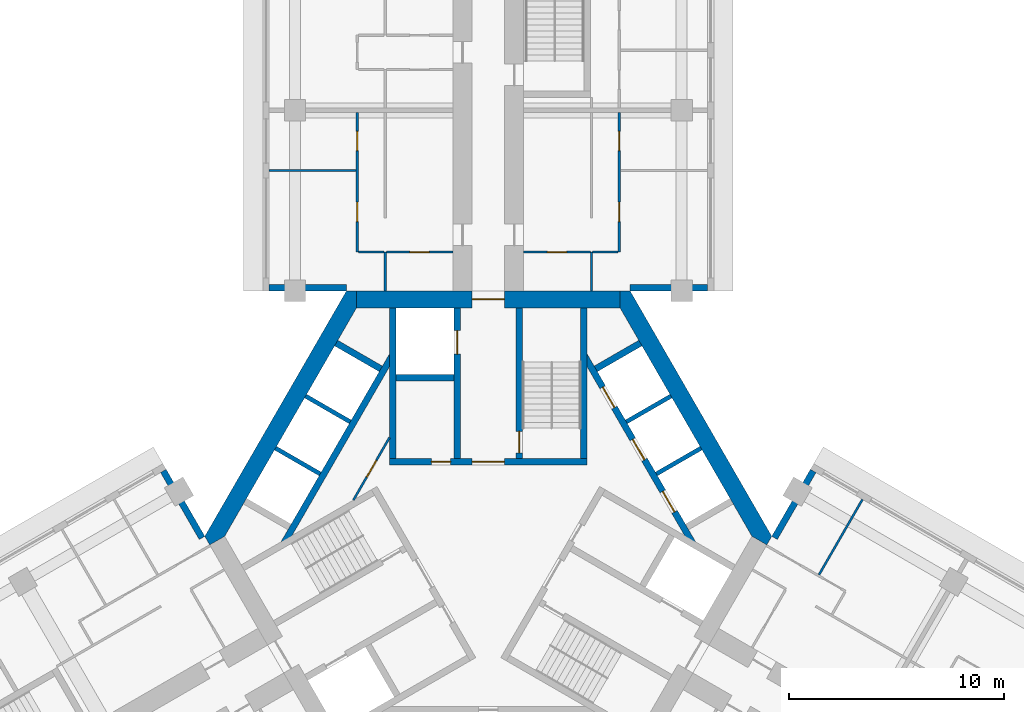
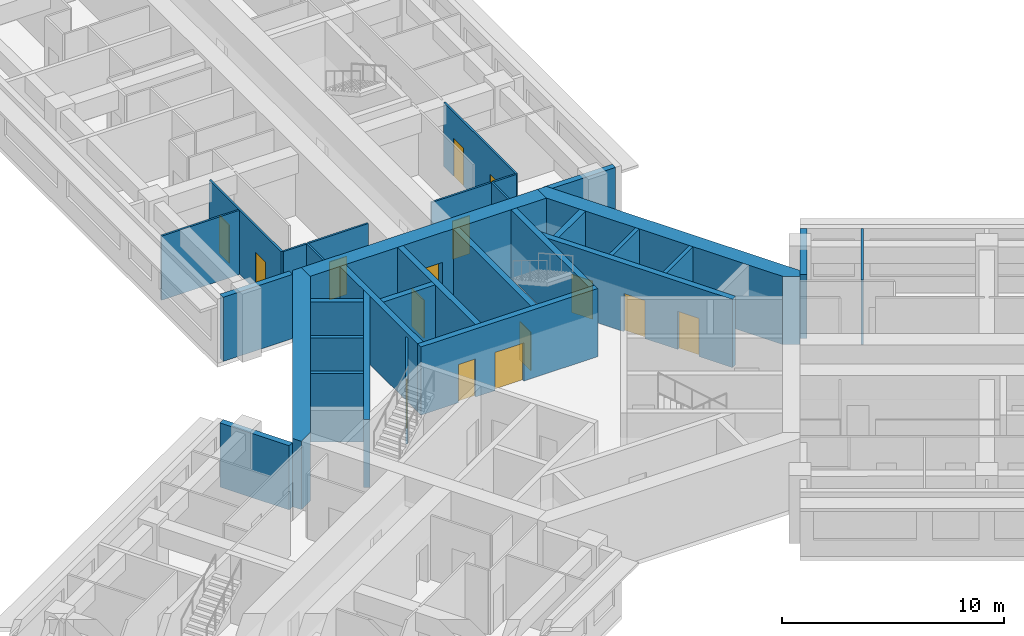
# One storey, part 8 of 15: 32 walls, 15 doors, 15 openings.
"""IFC4 building model written with IfcOpenShell, lengths in metres."""

from ifc_helpers import new_model, si_unit, direction, frame, frame_2d, origin, place, context, subcontext, project, spatial, polyline, rectangle, outline, extrude, material, layer, layer_set, type_object, element, fill, save


model = new_model("IFC4")

# Units and contexts
model_context = context("Model", 3, precision=1e-05, world=origin(), true_north=direction((0.0, 1.0)))
body_context = subcontext(model_context, "Body", "Model", "MODEL_VIEW")
ifc_project = project(units=[si_unit("LENGTHUNIT", "METRE"), si_unit("AREAUNIT", "SQUARE_METRE"), si_unit("VOLUMEUNIT", "CUBIC_METRE"), si_unit("PLANEANGLEUNIT", "RADIAN"), si_unit("MASSUNIT", "GRAM", prefix="KILO")], contexts=[model_context])

# Site, building, storey
site_placement = place(None, origin())
site = spatial("IfcSite", under=ifc_project, at=site_placement, CompositionType="ELEMENT")
building_placement = place(site_placement, origin())
building = spatial("IfcBuilding", under=site, at=building_placement, Name="Impinga Residences", CompositionType="ELEMENT")
storey_placement = place(building_placement, frame((0.0, 0.0, 113.5)))
storey = spatial("IfcBuildingStorey", under=building, at=storey_placement, Name="L27", CompositionType="ELEMENT", Elevation=113.5)

# Wall, opening, door
ifc_material_1 = material(Name="Concrete blockwork", Category="masonry")
ifc_layer_1 = layer(ifc_material_1, 0.10009765625)
ifc_layer_set_1 = layer_set([ifc_layer_1], Name="CP1 core room partition, blockwork 100")
wall_type_1 = type_object("IfcWallType", Name="CP1 core room partition, blockwork 100", PredefinedType="PARTITIONING", material=ifc_layer_set_1)
wall_1_placement = place(storey_placement, frame((-6.280029296875, 1.685791015625, 0.0), z_axis=(0.0, 0.0, 1.0), x_axis=(0.499976138585, 0.866039179741, 0.0)))
wall_1 = element("IfcWall", 1, at=wall_1_placement, inside=storey, type_object=wall_type_1, Name="Core room partition, blockwork L27:CORE:high:FP", PredefinedType="PARTITIONING", context=body_context, shape_type="SweptSolid", body=[
    extrude(rectangle(XDim=3.360107421875, YDim=0.10009765625, at=frame_2d((1.68017578125, 0.0))), origin(), (0.0, 0.0, 1.0), 3.530029296875),
])
opening_1_placement = place(wall_1_placement, frame((1.22998046875, 0.0, 0.0)))
opening_1 = element("IfcOpeningElement", 2, at=opening_1_placement, cuts=wall_1, Name="Opening D6", PredefinedType="OPENING", context=body_context, shape_type="SweptSolid", body=[
    extrude(rectangle(XDim=0.89990234375, YDim=2.10009765625, at=frame_2d((0.449951171875, 1.050048828125))), frame((0.0, 0.06005859375, 0.0), z_axis=(0.0, -1.0, 0.0), x_axis=(1.0, 0.0, 0.0)), (0.0, 0.0, 1.0), 0.1201171875),
])
ifc_material_2 = material(Name="Timber door set", Category="wood")
door_type_1 = type_object("IfcDoorType", Name="D6 riser and store door 900x2100", OperationType="SINGLE_SWING_LEFT", PredefinedType="DOOR", material=ifc_material_2)
door_1_placement = place(opening_1_placement, origin())
door_1 = element("IfcDoor", 3, at=door_1_placement, inside=storey, type_object=door_type_1, Name="Refuse and recycling room door", OperationType="SINGLE_SWING_RIGHT", OverallHeight=2.10009765625, OverallWidth=0.89990234375, PredefinedType="DOOR", context=body_context, shape_type="SweptSolid", body=[
    extrude(rectangle(XDim=0.89990234375, YDim=2.10009765625, at=frame_2d((0.449951171875, 1.050048828125))), frame((0.0, 0.02490234375, 0.0), z_axis=(0.0, -1.0, 0.0), x_axis=(1.0, 0.0, 0.0)), (0.0, 0.0, 1.0), 0.050048828125),
])
fill(opening_1, door_1)

# Walls
ifc_material_3 = material(Name="Terracotta rainscreen on blockwork", Category="masonry")
ifc_layer_2 = layer(ifc_material_3, 0.300048828125)
ifc_layer_set_2 = layer_set([ifc_layer_2], Name="EW1 external wall, terracotta rainscreen on blockwork 300")
wall_type_2 = type_object("IfcWallType", Name="EW1 external wall, terracotta rainscreen on blockwork 300", PredefinedType="SOLIDWALL", material=ifc_layer_set_2)
wall_2_placement = place(storey_placement, frame((-15.1298828125, 3.042724609375, 0.0), z_axis=(0.0, 0.0, 1.0), x_axis=(0.500012057535, -0.866018442252, 0.0)))
element("IfcWall", 4, at=wall_2_placement, inside=storey, type_object=wall_type_2, Name="External wall EW1 L27", PredefinedType="SOLIDWALL", context=body_context, shape_type="SweptSolid", body=[
    extrude(rectangle(XDim=3.60009765625, YDim=0.300048828125, at=frame_2d((1.800048828125, 0.0))), origin(), (0.0, 0.0, 1.0), 3.530029296875),
])
for number, where, z_axis, x_axis, name in (
    (5, (-6.60009765625, 11.58154296875, 0.0), (0.0, 0.0, 1.0), (-1.0, 0.0, 0.0), "External wall EW1 L27"),
    (6, (10.199951171875, 11.58154296875, 0.0), (0.0, 0.0, 1.0), (-1.0, 0.0, 0.0), "External wall EW1 L27"),
):
    element("IfcWall", number, at=place(storey_placement, frame(where, z_axis=z_axis, x_axis=x_axis)), inside=storey, type_object=wall_type_2, Name=name, PredefinedType="SOLIDWALL", context=body_context, shape_type="SweptSolid", body=[
        extrude(rectangle(XDim=3.599853515625, YDim=0.300048828125, at=frame_2d((1.7998046875, 0.0))), origin(), (0.0, 0.0, 1.0), 3.530029296875),
    ])
wall_3_placement = place(storey_placement, frame((13.329833984375, -0.074951171875, 0.0), z_axis=(0.0, 0.0, 1.0), x_axis=(0.500012057535, 0.866018442252, 0.0)))
element("IfcWall", 7, at=wall_3_placement, inside=storey, type_object=wall_type_2, Name="External wall EW1 L27", PredefinedType="SOLIDWALL", context=body_context, shape_type="SweptSolid", body=[
    extrude(rectangle(XDim=3.60009765625, YDim=0.300048828125, at=frame_2d((1.800048828125, 0.0))), origin(), (0.0, 0.0, 1.0), 3.530029296875),
])
ifc_material_4 = material(Name="Gypsum board on steel studs", Category="steel")
ifc_layer_3 = layer(ifc_material_4, 0.10009765625)
ifc_layer_set_3 = layer_set([ifc_layer_3], Name="Gypsum board on steel studs")
wall_type_3 = type_object("IfcWallType", Name="IP1 partition 100", PredefinedType="PARTITIONING", material=ifc_layer_set_3)
wall_4_placement = place(storey_placement, frame((-4.800048828125, 11.431640625, 0.0), z_axis=(0.0, 0.0, 1.0), x_axis=(0.0, 1.0, 0.0)))
element("IfcWall", 8, at=wall_4_placement, inside=storey, type_object=wall_type_3, Name="Partition L27-NA1:DIV0", PredefinedType="PARTITIONING", context=body_context, shape_type="SweptSolid", body=[
    extrude(rectangle(XDim=1.7998046875, YDim=0.10009765625, at=frame_2d((0.89990234375, 0.0))), origin(), (0.0, 0.0, 1.0), 3.530029296875),
])

# Wall, openings, doors
wall_5_placement = place(storey_placement, frame((-6.10009765625, 13.2314453125, 0.0), z_axis=(0.0, 0.0, 1.0), x_axis=(0.0, 1.0, 0.0)))
wall_5 = element("IfcWall", 9, at=wall_5_placement, inside=storey, type_object=wall_type_3, Name="Partition L27-NA1:STRIP", PredefinedType="PARTITIONING", context=body_context, shape_type="SweptSolid", body=[
    extrude(rectangle(XDim=6.5, YDim=0.10009765625, at=frame_2d((3.25, 0.0))), origin(), (0.0, 0.0, 1.0), 3.530029296875),
])
opening_2_placement = place(wall_5_placement, frame((1.425048828125, 0.0, 0.0)))
opening_2 = element("IfcOpeningElement", 10, at=opening_2_placement, cuts=wall_5, Name="Opening D2", PredefinedType="OPENING", context=body_context, shape_type="SweptSolid", body=[
    extrude(rectangle(XDim=0.89990234375, YDim=2.10009765625, at=frame_2d((0.449951171875, 1.050048828125))), frame((0.0, 0.06005859375, 0.0), z_axis=(0.0, -1.0, 0.0), x_axis=(1.0, 0.0, 0.0)), (0.0, 0.0, 1.0), 0.1201171875),
])
opening_3_placement = place(wall_5_placement, frame((4.72509765625, 0.0, 0.0)))
opening_3 = element("IfcOpeningElement", 11, at=opening_3_placement, cuts=wall_5, Name="Opening D2", PredefinedType="OPENING", context=body_context, shape_type="SweptSolid", body=[
    extrude(rectangle(XDim=0.89990234375, YDim=2.10009765625, at=frame_2d((0.449951171875, 1.050048828125))), frame((0.0, 0.06005859375, 0.0), z_axis=(0.0, -1.0, 0.0), x_axis=(1.0, 0.0, 0.0)), (0.0, 0.0, 1.0), 0.1201171875),
])
door_type_2 = type_object("IfcDoorType", Name="D2 internal door 900x2100", OperationType="SINGLE_SWING_LEFT", PredefinedType="DOOR", material=ifc_material_2)
door_2_placement = place(opening_2_placement, origin())
door_2 = element("IfcDoor", 12, at=door_2_placement, inside=storey, type_object=door_type_2, Name="Apartment L27-NA1 room door", OperationType="SINGLE_SWING_LEFT", OverallHeight=2.10009765625, OverallWidth=0.89990234375, PredefinedType="DOOR", context=body_context, shape_type="SweptSolid", body=[
    extrude(rectangle(XDim=0.89990234375, YDim=2.10009765625, at=frame_2d((0.449951171875, 1.050048828125))), frame((0.0, 0.02490234375, 0.0), z_axis=(0.0, -1.0, 0.0), x_axis=(1.0, 0.0, 0.0)), (0.0, 0.0, 1.0), 0.050048828125),
])
fill(opening_2, door_2)
door_3_placement = place(opening_3_placement, origin())
door_3 = element("IfcDoor", 13, at=door_3_placement, inside=storey, type_object=door_type_2, Name="Apartment L27-NA1 room door", OperationType="SINGLE_SWING_RIGHT", OverallHeight=2.10009765625, OverallWidth=0.89990234375, PredefinedType="DOOR", context=body_context, shape_type="SweptSolid", body=[
    extrude(rectangle(XDim=0.89990234375, YDim=2.10009765625, at=frame_2d((0.449951171875, 1.050048828125))), frame((0.0, 0.02490234375, 0.0), z_axis=(0.0, -1.0, 0.0), x_axis=(1.0, 0.0, 0.0)), (0.0, 0.0, 1.0), 0.050048828125),
])
fill(opening_3, door_3)

# Wall
wall_6_placement = place(storey_placement, frame((-4.85009765625, 13.2314453125, 0.0), z_axis=(0.0, 0.0, 1.0), x_axis=(-1.0, 0.0, 0.0)))
element("IfcWall", 14, at=wall_6_placement, inside=storey, type_object=wall_type_3, Name="Partition L27-NA1:SE0", PredefinedType="PARTITIONING", context=body_context, shape_type="SweptSolid", body=[
    extrude(rectangle(XDim=1.199951171875, YDim=0.10009765625, at=frame_2d((0.60009765625, 0.0))), origin(), (0.0, 0.0, 1.0), 3.530029296875),
])

# Wall, opening, door
wall_7_placement = place(storey_placement, frame((-1.64990234375, 13.2314453125, 0.0), z_axis=(0.0, 0.0, 1.0), x_axis=(-1.0, 0.0, 0.0)))
wall_7 = element("IfcWall", 15, at=wall_7_placement, inside=storey, type_object=wall_type_3, Name="Partition L27-NA1:IB1", PredefinedType="PARTITIONING", context=body_context, shape_type="SweptSolid", body=[
    extrude(rectangle(XDim=3.10009765625, YDim=0.10009765625, at=frame_2d((1.550048828125, 0.0))), origin(), (0.0, 0.0, 1.0), 3.530029296875),
])
opening_4_placement = place(wall_7_placement, frame((1.10009765625, 0.0, 0.0)))
opening_4 = element("IfcOpeningElement", 16, at=opening_4_placement, cuts=wall_7, Name="Opening D2", PredefinedType="OPENING", context=body_context, shape_type="SweptSolid", body=[
    extrude(rectangle(XDim=0.89990234375, YDim=2.10009765625, at=frame_2d((0.449951171875, 1.050048828125))), frame((0.0, 0.06005859375, 0.0), z_axis=(0.0, -1.0, 0.0), x_axis=(1.0, 0.0, 0.0)), (0.0, 0.0, 1.0), 0.1201171875),
])
door_4_placement = place(opening_4_placement, origin())
door_4 = element("IfcDoor", 17, at=door_4_placement, inside=storey, type_object=door_type_2, Name="Apartment L27-NA1 bathroom door", OperationType="SINGLE_SWING_LEFT", OverallHeight=2.10009765625, OverallWidth=0.89990234375, PredefinedType="DOOR", context=body_context, shape_type="SweptSolid", body=[
    extrude(rectangle(XDim=0.89990234375, YDim=2.10009765625, at=frame_2d((0.449951171875, 1.050048828125))), frame((0.0, 0.02490234375, 0.0), z_axis=(0.0, -1.0, 0.0), x_axis=(1.0, 0.0, 0.0)), (0.0, 0.0, 1.0), 0.050048828125),
])
fill(opening_4, door_4)

# Walls
wall_8_placement = place(storey_placement, frame((-6.14990234375, 17.031494140625, 0.0), z_axis=(0.0, 0.0, 1.0), x_axis=(-1.0, 0.0, 0.0)))
element("IfcWall", 18, at=wall_8_placement, inside=storey, type_object=wall_type_3, Name="Partition L27-NA1:OB1", PredefinedType="PARTITIONING", context=body_context, shape_type="SweptSolid", body=[
    extrude(rectangle(XDim=4.050048828125, YDim=0.10009765625, at=frame_2d((2.02490234375, 0.0))), origin(), (0.0, 0.0, 1.0), 3.530029296875),
])
wall_9_placement = place(storey_placement, frame((4.800048828125, 11.431640625, 0.0), z_axis=(0.0, 0.0, 1.0), x_axis=(0.0, 1.0, 0.0)))
element("IfcWall", 19, at=wall_9_placement, inside=storey, type_object=wall_type_3, Name="Partition L27-NF1:DIV0", PredefinedType="PARTITIONING", context=body_context, shape_type="SweptSolid", body=[
    extrude(rectangle(XDim=1.7998046875, YDim=0.10009765625, at=frame_2d((0.89990234375, 0.0))), origin(), (0.0, 0.0, 1.0), 3.530029296875),
])

# Wall, openings, doors
wall_10_placement = place(storey_placement, frame((6.10009765625, 13.2314453125, 0.0), z_axis=(0.0, 0.0, 1.0), x_axis=(0.0, 1.0, 0.0)))
wall_10 = element("IfcWall", 20, at=wall_10_placement, inside=storey, type_object=wall_type_3, Name="Partition L27-NF1:STRIP", PredefinedType="PARTITIONING", context=body_context, shape_type="SweptSolid", body=[
    extrude(rectangle(XDim=6.5, YDim=0.10009765625, at=frame_2d((3.25, 0.0))), origin(), (0.0, 0.0, 1.0), 3.530029296875),
])
opening_5_placement = place(wall_10_placement, frame((1.425048828125, 0.0, 0.0)))
opening_5 = element("IfcOpeningElement", 21, at=opening_5_placement, cuts=wall_10, Name="Opening D2", PredefinedType="OPENING", context=body_context, shape_type="SweptSolid", body=[
    extrude(rectangle(XDim=0.89990234375, YDim=2.10009765625, at=frame_2d((0.449951171875, 1.050048828125))), frame((0.0, 0.06005859375, 0.0), z_axis=(0.0, -1.0, 0.0), x_axis=(1.0, 0.0, 0.0)), (0.0, 0.0, 1.0), 0.1201171875),
])
opening_6_placement = place(wall_10_placement, frame((4.72509765625, 0.0, 0.0)))
opening_6 = element("IfcOpeningElement", 22, at=opening_6_placement, cuts=wall_10, Name="Opening D2", PredefinedType="OPENING", context=body_context, shape_type="SweptSolid", body=[
    extrude(rectangle(XDim=0.89990234375, YDim=2.10009765625, at=frame_2d((0.449951171875, 1.050048828125))), frame((0.0, 0.06005859375, 0.0), z_axis=(0.0, -1.0, 0.0), x_axis=(1.0, 0.0, 0.0)), (0.0, 0.0, 1.0), 0.1201171875),
])
door_5_placement = place(opening_5_placement, origin())
door_5 = element("IfcDoor", 23, at=door_5_placement, inside=storey, type_object=door_type_2, Name="Apartment L27-NF1 room door", OperationType="SINGLE_SWING_LEFT", OverallHeight=2.10009765625, OverallWidth=0.89990234375, PredefinedType="DOOR", context=body_context, shape_type="SweptSolid", body=[
    extrude(rectangle(XDim=0.89990234375, YDim=2.10009765625, at=frame_2d((0.449951171875, 1.050048828125))), frame((0.0, 0.02490234375, 0.0), z_axis=(0.0, -1.0, 0.0), x_axis=(1.0, 0.0, 0.0)), (0.0, 0.0, 1.0), 0.050048828125),
])
fill(opening_5, door_5)
door_6_placement = place(opening_6_placement, origin())
door_6 = element("IfcDoor", 24, at=door_6_placement, inside=storey, type_object=door_type_2, Name="Apartment L27-NF1 room door", OperationType="SINGLE_SWING_RIGHT", OverallHeight=2.10009765625, OverallWidth=0.89990234375, PredefinedType="DOOR", context=body_context, shape_type="SweptSolid", body=[
    extrude(rectangle(XDim=0.89990234375, YDim=2.10009765625, at=frame_2d((0.449951171875, 1.050048828125))), frame((0.0, 0.02490234375, 0.0), z_axis=(0.0, -1.0, 0.0), x_axis=(1.0, 0.0, 0.0)), (0.0, 0.0, 1.0), 0.050048828125),
])
fill(opening_6, door_6)

# Wall
wall_11_placement = place(storey_placement, frame((4.85009765625, 13.2314453125, 0.0), z_axis=(0.0, 0.0, 1.0), x_axis=(1.0, 0.0, 0.0)))
element("IfcWall", 25, at=wall_11_placement, inside=storey, type_object=wall_type_3, Name="Partition L27-NF1:SE0", PredefinedType="PARTITIONING", context=body_context, shape_type="SweptSolid", body=[
    extrude(rectangle(XDim=1.199951171875, YDim=0.10009765625, at=frame_2d((0.60009765625, 0.0))), origin(), (0.0, 0.0, 1.0), 3.530029296875),
])

# Wall, opening, door
wall_12_placement = place(storey_placement, frame((1.64990234375, 13.2314453125, 0.0), z_axis=(0.0, 0.0, 1.0), x_axis=(1.0, 0.0, 0.0)))
wall_12 = element("IfcWall", 26, at=wall_12_placement, inside=storey, type_object=wall_type_3, Name="Partition L27-NF1:IB1", PredefinedType="PARTITIONING", context=body_context, shape_type="SweptSolid", body=[
    extrude(rectangle(XDim=3.10009765625, YDim=0.10009765625, at=frame_2d((1.550048828125, 0.0))), origin(), (0.0, 0.0, 1.0), 3.530029296875),
])
opening_7_placement = place(wall_12_placement, frame((1.10009765625, 0.0, 0.0)))
opening_7 = element("IfcOpeningElement", 27, at=opening_7_placement, cuts=wall_12, Name="Opening D2", PredefinedType="OPENING", context=body_context, shape_type="SweptSolid", body=[
    extrude(rectangle(XDim=0.89990234375, YDim=2.10009765625, at=frame_2d((0.449951171875, 1.050048828125))), frame((0.0, 0.06005859375, 0.0), z_axis=(0.0, -1.0, 0.0), x_axis=(1.0, 0.0, 0.0)), (0.0, 0.0, 1.0), 0.1201171875),
])
door_7_placement = place(opening_7_placement, origin())
door_7 = element("IfcDoor", 28, at=door_7_placement, inside=storey, type_object=door_type_2, Name="Apartment L27-NF1 bathroom door", OperationType="SINGLE_SWING_LEFT", OverallHeight=2.10009765625, OverallWidth=0.89990234375, PredefinedType="DOOR", context=body_context, shape_type="SweptSolid", body=[
    extrude(rectangle(XDim=0.89990234375, YDim=2.10009765625, at=frame_2d((0.449951171875, 1.050048828125))), frame((0.0, 0.02490234375, 0.0), z_axis=(0.0, -1.0, 0.0), x_axis=(1.0, 0.0, 0.0)), (0.0, 0.0, 1.0), 0.050048828125),
])
fill(opening_7, door_7)

# Wall
wall_13_placement = place(storey_placement, frame((15.39990234375, -1.789794921875, 0.0), z_axis=(0.0, 0.0, 1.0), x_axis=(0.499964223975, 0.866046058097, 0.0)))
element("IfcWall", 29, at=wall_13_placement, inside=storey, type_object=wall_type_3, Name="Partition L27-EA1:OB1", PredefinedType="PARTITIONING", context=body_context, shape_type="SweptSolid", body=[
    extrude(rectangle(XDim=4.050048828125, YDim=0.10009765625, at=frame_2d((2.02490234375, 0.0))), origin(), (0.0, 0.0, 1.0), 3.530029296875),
])

# Wall, opening, door
ifc_material_5 = material(Name="Concrete C60/75", Category="concrete")
ifc_layer_4 = layer(ifc_material_5, 0.800048828125)
ifc_layer_set_4 = layer_set([ifc_layer_4], Name="Concrete C60/75")
wall_type_4 = type_object("IfcWallType", Name="SW2 core wall 800", PredefinedType="SHEAR", material=ifc_layer_set_4)
wall_14_placement = place(storey_placement, frame((-6.13818359375, 11.031494140625, 0.0), z_axis=(0.0, 0.0, 1.0), x_axis=(1.0, 0.0, 0.0)))
wall_14 = element("IfcWall", 30, at=wall_14_placement, inside=storey, type_object=wall_type_4, Name="Core wall SW2 N:FACE L27", PredefinedType="SHEAR", context=body_context, shape_type="SweptSolid", body=[
    extrude(rectangle(XDim=12.2763671875, YDim=0.800048828125, at=frame_2d((6.13818359375, 0.0))), origin(), (0.0, 0.0, 1.0), 3.75),
])
opening_8_placement = place(wall_14_placement, frame((5.38818359375, 0.0, 0.0)))
opening_8 = element("IfcOpeningElement", 31, at=opening_8_placement, cuts=wall_14, Name="Opening D4", PredefinedType="OPENING", context=body_context, shape_type="SweptSolid", body=[
    extrude(rectangle(XDim=1.5, YDim=2.10009765625, at=frame_2d((0.75, 1.050048828125))), frame((0.0, 0.409912109375, 0.0), z_axis=(0.0, -1.0, 0.0), x_axis=(1.0, 0.0, 0.0)), (0.0, 0.0, 1.0), 0.820068359375),
])
door_type_3 = type_object("IfcDoorType", Name="D4 lobby door pair 1500x2100", OperationType="DOUBLE_DOOR_DOUBLE_SWING", PredefinedType="DOOR", material=ifc_material_2)
door_8_placement = place(opening_8_placement, origin())
door_8 = element("IfcDoor", 32, at=door_8_placement, inside=storey, type_object=door_type_3, Name="Lobby door N", OperationType="DOUBLE_DOOR_DOUBLE_SWING", OverallHeight=2.10009765625, OverallWidth=1.5, PredefinedType="DOOR", context=body_context, shape_type="SweptSolid", body=[
    extrude(rectangle(XDim=1.5, YDim=2.10009765625, at=frame_2d((0.75, 1.050048828125))), frame((0.0, 0.02490234375, 0.0), z_axis=(0.0, -1.0, 0.0), x_axis=(1.0, 0.0, 0.0)), (0.0, 0.0, 1.0), 0.050048828125),
])
fill(opening_8, door_8)

# Walls
wall_15_placement = place(storey_placement, origin())
element("IfcWall", 33, at=wall_15_placement, inside=storey, type_object=wall_type_4, Name="Core wall SW2 W:EXPOSED L27", PredefinedType="SHEAR", context=body_context, shape_type="SweptSolid", body=[
    extrude(outline(polyline([(13.199951171875, 0.0), (6.60009765625, 11.431640625), (6.13818359375, 11.431640625), (6.13818359375, 10.631591796875), (12.276123046875, 0.0), (12.968994140625, -0.39990234375), (13.199951171875, 0.0)])), origin(), (0.0, 0.0, 1.0), 3.75),
])
wall_16_placement = place(storey_placement, origin())
element("IfcWall", 34, at=wall_16_placement, inside=storey, type_object=wall_type_4, Name="Core wall SW2 E:EXPOSED L27", PredefinedType="SHEAR", context=body_context, shape_type="SweptSolid", body=[
    extrude(outline(polyline([(-6.60009765625, 11.431640625), (-13.199951171875, 0.0), (-12.968994140625, -0.39990234375), (-12.276123046875, 0.0), (-6.13818359375, 10.631591796875), (-6.13818359375, 11.431640625), (-6.60009765625, 11.431640625)])), origin(), (0.0, 0.0, 1.0), 3.75),
])

# Wall, openings, doors
ifc_material_6 = material(Name="Concrete C70/85", Category="concrete")
ifc_layer_5 = layer(ifc_material_6, 0.300048828125)
ifc_layer_set_5 = layer_set([ifc_layer_5], Name="Concrete C70/85")
wall_type_5 = type_object("IfcWallType", Name="SW5 core inner wall, stairs, shafts and lobbies 300", PredefinedType="SHEAR", material=ifc_layer_set_5)
wall_17_placement = place(storey_placement, frame((-4.60009765625, 3.47998046875, 0.0), z_axis=(0.0, 0.0, 1.0), x_axis=(1.0, 0.0, 0.0)))
wall_17 = element("IfcWall", 35, at=wall_17_placement, inside=storey, type_object=wall_type_5, Name="Core wall SW5 N:ZONE L27", PredefinedType="SHEAR", context=body_context, shape_type="SweptSolid", body=[
    extrude(rectangle(XDim=9.2001953125, YDim=0.300048828125, at=frame_2d((4.60009765625, 0.0))), origin(), (0.0, 0.0, 1.0), 3.75),
])
opening_9_placement = place(wall_17_placement, frame((3.85009765625, 0.0, 0.0)))
opening_9 = element("IfcOpeningElement", 36, at=opening_9_placement, cuts=wall_17, Name="Opening D4", PredefinedType="OPENING", context=body_context, shape_type="SweptSolid", body=[
    extrude(rectangle(XDim=1.5, YDim=2.10009765625, at=frame_2d((0.75, 1.050048828125))), frame((0.0, 0.159912109375, 0.0), z_axis=(0.0, -1.0, 0.0), x_axis=(1.0, 0.0, 0.0)), (0.0, 0.0, 1.0), 0.320068359375),
])
opening_10_placement = place(wall_17_placement, frame((1.949951171875, 0.0, 0.0)))
opening_10 = element("IfcOpeningElement", 37, at=opening_10_placement, cuts=wall_17, Name="Opening D6", PredefinedType="OPENING", context=body_context, shape_type="SweptSolid", body=[
    extrude(rectangle(XDim=0.89990234375, YDim=2.10009765625, at=frame_2d((0.449951171875, 1.050048828125))), frame((0.0, 0.159912109375, 0.0), z_axis=(0.0, -1.0, 0.0), x_axis=(1.0, 0.0, 0.0)), (0.0, 0.0, 1.0), 0.320068359375),
])
door_9_placement = place(opening_9_placement, origin())
door_9 = element("IfcDoor", 38, at=door_9_placement, inside=storey, type_object=door_type_3, Name="Firefighting lobby door N", OperationType="DOUBLE_DOOR_DOUBLE_SWING", OverallHeight=2.10009765625, OverallWidth=1.5, PredefinedType="DOOR", context=body_context, shape_type="SweptSolid", body=[
    extrude(rectangle(XDim=1.5, YDim=2.10009765625, at=frame_2d((0.75, 1.050048828125))), frame((0.0, 0.02490234375, 0.0), z_axis=(0.0, -1.0, 0.0), x_axis=(1.0, 0.0, 0.0)), (0.0, 0.0, 1.0), 0.050048828125),
])
fill(opening_9, door_9)
door_10_placement = place(opening_10_placement, origin())
door_10 = element("IfcDoor", 39, at=door_10_placement, inside=storey, type_object=door_type_1, Name="Riser door N", OperationType="SINGLE_SWING_LEFT", OverallHeight=2.10009765625, OverallWidth=0.89990234375, PredefinedType="DOOR", context=body_context, shape_type="SweptSolid", body=[
    extrude(rectangle(XDim=0.89990234375, YDim=2.10009765625, at=frame_2d((0.449951171875, 1.050048828125))), frame((0.0, 0.02490234375, 0.0), z_axis=(0.0, -1.0, 0.0), x_axis=(1.0, 0.0, 0.0)), (0.0, 0.0, 1.0), 0.050048828125),
])
fill(opening_10, door_10)

# Wall, opening, door
wall_18_placement = place(storey_placement, frame((1.449951171875, 3.6298828125, 0.0), z_axis=(0.0, 0.0, 1.0), x_axis=(0.0, 1.0, 0.0)))
wall_18 = element("IfcWall", 40, at=wall_18_placement, inside=storey, type_object=wall_type_5, Name="Core wall SW5 N:ST-IN L27", PredefinedType="SHEAR", context=body_context, shape_type="SweptSolid", body=[
    extrude(rectangle(XDim=7.001708984375, YDim=0.300048828125, at=frame_2d((3.5009765625, 0.0))), origin(), (0.0, 0.0, 1.0), 3.75),
])
opening_11_placement = place(wall_18_placement, frame((0.25, 0.0, 0.0)))
opening_11 = element("IfcOpeningElement", 41, at=opening_11_placement, cuts=wall_18, Name="Opening D5", PredefinedType="OPENING", context=body_context, shape_type="SweptSolid", body=[
    extrude(rectangle(XDim=1.0, YDim=2.10009765625, at=frame_2d((0.5, 1.050048828125))), frame((0.0, 0.159912109375, 0.0), z_axis=(0.0, -1.0, 0.0), x_axis=(1.0, 0.0, 0.0)), (0.0, 0.0, 1.0), 0.320068359375),
])
door_type_4 = type_object("IfcDoorType", Name="D5 stair door 1000x2100", OperationType="SINGLE_SWING_LEFT", PredefinedType="DOOR", material=ifc_material_2)
door_11_placement = place(opening_11_placement, origin())
door_11 = element("IfcDoor", 42, at=door_11_placement, inside=storey, type_object=door_type_4, Name="Stair door N", OperationType="SINGLE_SWING_LEFT", OverallHeight=2.10009765625, OverallWidth=1.0, PredefinedType="DOOR", context=body_context, shape_type="SweptSolid", body=[
    extrude(rectangle(XDim=1.0, YDim=2.10009765625, at=frame_2d((0.5, 1.050048828125))), frame((0.0, 0.02490234375, 0.0), z_axis=(0.0, -1.0, 0.0), x_axis=(1.0, 0.0, 0.0)), (0.0, 0.0, 1.0), 0.050048828125),
])
fill(opening_11, door_11)

# Wall
wall_19_placement = place(storey_placement, frame((4.449951171875, 3.6298828125, 0.0), z_axis=(0.0, 0.0, 1.0), x_axis=(0.0, 1.0, 0.0)))
element("IfcWall", 43, at=wall_19_placement, inside=storey, type_object=wall_type_5, Name="Core wall SW5 N:ST-OUT L27", PredefinedType="SHEAR", context=body_context, shape_type="SweptSolid", body=[
    extrude(rectangle(XDim=7.001708984375, YDim=0.300048828125, at=frame_2d((3.5009765625, 0.0))), origin(), (0.0, 0.0, 1.0), 3.75),
])

# Wall, opening, door
wall_20_placement = place(storey_placement, frame((-1.449951171875, 3.6298828125, 0.0), z_axis=(0.0, 0.0, 1.0), x_axis=(0.0, 1.0, 0.0)))
wall_20 = element("IfcWall", 44, at=wall_20_placement, inside=storey, type_object=wall_type_5, Name="Core wall SW5 N:FF-IN L27", PredefinedType="SHEAR", context=body_context, shape_type="SweptSolid", body=[
    extrude(rectangle(XDim=7.001708984375, YDim=0.300048828125, at=frame_2d((3.5009765625, 0.0))), origin(), (0.0, 0.0, 1.0), 3.75),
])
opening_12_placement = place(wall_20_placement, frame((4.85009765625, 0.0, 0.0)))
opening_12 = element("IfcOpeningElement", 45, at=opening_12_placement, cuts=wall_20, Name="Opening LD2", PredefinedType="OPENING", context=body_context, shape_type="SweptSolid", body=[
    extrude(rectangle(XDim=1.10009765625, YDim=2.10009765625, at=frame_2d((0.550048828125, 1.050048828125))), frame((0.0, 0.159912109375, 0.0), z_axis=(0.0, -1.0, 0.0), x_axis=(1.0, 0.0, 0.0)), (0.0, 0.0, 1.0), 0.320068359375),
])
ifc_material_7 = material(Name="Steel lift landing door", Category="steel")
door_type_5 = type_object("IfcDoorType", Name="LD2 firefighting lift landing door 1100x2100", OperationType="DOUBLE_DOOR_SLIDING", PredefinedType="DOOR", material=ifc_material_7)
door_12_placement = place(opening_12_placement, origin())
door_12 = element("IfcDoor", 46, at=door_12_placement, inside=storey, type_object=door_type_5, Name="Firefighting lift landing door F1", OperationType="DOUBLE_DOOR_SLIDING", OverallHeight=2.10009765625, OverallWidth=1.10009765625, PredefinedType="DOOR", context=body_context, shape_type="SweptSolid", body=[
    extrude(rectangle(XDim=1.10009765625, YDim=2.10009765625, at=frame_2d((0.550048828125, 1.050048828125))), frame((0.0, 0.02490234375, 0.0), z_axis=(0.0, -1.0, 0.0), x_axis=(1.0, 0.0, 0.0)), (0.0, 0.0, 1.0), 0.050048828125),
])
fill(opening_12, door_12)

# Walls
wall_21_placement = place(storey_placement, frame((-4.449951171875, 3.6298828125, 0.0), z_axis=(0.0, 0.0, 1.0), x_axis=(0.0, 1.0, 0.0)))
element("IfcWall", 47, at=wall_21_placement, inside=storey, type_object=wall_type_5, Name="Core wall SW5 N:FF-OUT L27", PredefinedType="SHEAR", context=body_context, shape_type="SweptSolid", body=[
    extrude(rectangle(XDim=7.001708984375, YDim=0.300048828125, at=frame_2d((3.5009765625, 0.0))), origin(), (0.0, 0.0, 1.0), 3.75),
])
wall_22_placement = place(storey_placement, frame((-4.300048828125, 7.3798828125, 0.0), z_axis=(0.0, 0.0, 1.0), x_axis=(1.0, 0.0, 0.0)))
element("IfcWall", 48, at=wall_22_placement, inside=storey, type_object=wall_type_5, Name="Core wall SW5 N:FF-RS L27", PredefinedType="SHEAR", context=body_context, shape_type="SweptSolid", body=[
    extrude(rectangle(XDim=2.699951171875, YDim=0.300048828125, at=frame_2d((1.35009765625, 0.0))), origin(), (0.0, 0.0, 1.0), 3.75),
])

# Wall, openings, doors
wall_23_placement = place(storey_placement, frame((4.449951171875, 8.455322265625, 0.0), z_axis=(0.0, 0.0, 1.0), x_axis=(0.500002290144, -0.866024081565, 0.0)))
wall_23 = element("IfcWall", 49, at=wall_23_placement, inside=storey, type_object=wall_type_5, Name="Core wall SW5 W:BANK-FRONT L27", PredefinedType="SHEAR", context=body_context, shape_type="SweptSolid", body=[
    extrude(rectangle(XDim=10.1953125, YDim=0.300048828125, at=frame_2d((5.09765625, 0.0))), origin(), (0.0, 0.0, 1.0), 3.75),
])
opening_13_placement = place(wall_23_placement, frame((1.74755859375, 0.0, 0.0)))
opening_13 = element("IfcOpeningElement", 50, at=opening_13_placement, cuts=wall_23, Name="Opening LD1", PredefinedType="OPENING", context=body_context, shape_type="SweptSolid", body=[
    extrude(rectangle(XDim=1.10009765625, YDim=2.10009765625, at=frame_2d((0.550048828125, 1.050048828125))), frame((0.0, 0.159912109375, 0.0), z_axis=(0.0, -1.0, 0.0), x_axis=(1.0, 0.0, 0.0)), (0.0, 0.0, 1.0), 0.320068359375),
])
opening_14_placement = place(wall_23_placement, frame((4.547607421875, 0.0, 0.0)))
opening_14 = element("IfcOpeningElement", 51, at=opening_14_placement, cuts=wall_23, Name="Opening LD1", PredefinedType="OPENING", context=body_context, shape_type="SweptSolid", body=[
    extrude(rectangle(XDim=1.10009765625, YDim=2.10009765625, at=frame_2d((0.550048828125, 1.050048828125))), frame((0.0, 0.159912109375, 0.0), z_axis=(0.0, -1.0, 0.0), x_axis=(1.0, 0.0, 0.0)), (0.0, 0.0, 1.0), 0.320068359375),
])
opening_15_placement = place(wall_23_placement, frame((7.34765625, 0.0, 0.0)))
opening_15 = element("IfcOpeningElement", 52, at=opening_15_placement, cuts=wall_23, Name="Opening LD1", PredefinedType="OPENING", context=body_context, shape_type="SweptSolid", body=[
    extrude(rectangle(XDim=1.10009765625, YDim=2.10009765625, at=frame_2d((0.550048828125, 1.050048828125))), frame((0.0, 0.159912109375, 0.0), z_axis=(0.0, -1.0, 0.0), x_axis=(1.0, 0.0, 0.0)), (0.0, 0.0, 1.0), 0.320068359375),
])
door_type_6 = type_object("IfcDoorType", Name="LD1 passenger lift landing door 1100x2100", OperationType="DOUBLE_DOOR_SLIDING", PredefinedType="DOOR", material=ifc_material_7)
door_13_placement = place(opening_13_placement, origin())
door_13 = element("IfcDoor", 53, at=door_13_placement, inside=storey, type_object=door_type_6, Name="Lift landing door P4", OperationType="DOUBLE_DOOR_SLIDING", OverallHeight=2.10009765625, OverallWidth=1.10009765625, PredefinedType="DOOR", context=body_context, shape_type="SweptSolid", body=[
    extrude(rectangle(XDim=1.10009765625, YDim=2.10009765625, at=frame_2d((0.550048828125, 1.050048828125))), frame((0.0, 0.02490234375, 0.0), z_axis=(0.0, -1.0, 0.0), x_axis=(1.0, 0.0, 0.0)), (0.0, 0.0, 1.0), 0.050048828125),
])
fill(opening_13, door_13)
door_14_placement = place(opening_14_placement, origin())
door_14 = element("IfcDoor", 54, at=door_14_placement, inside=storey, type_object=door_type_6, Name="Lift landing door P5", OperationType="DOUBLE_DOOR_SLIDING", OverallHeight=2.10009765625, OverallWidth=1.10009765625, PredefinedType="DOOR", context=body_context, shape_type="SweptSolid", body=[
    extrude(rectangle(XDim=1.10009765625, YDim=2.10009765625, at=frame_2d((0.550048828125, 1.050048828125))), frame((0.0, 0.02490234375, 0.0), z_axis=(0.0, -1.0, 0.0), x_axis=(1.0, 0.0, 0.0)), (0.0, 0.0, 1.0), 0.050048828125),
])
fill(opening_14, door_14)
door_15_placement = place(opening_15_placement, origin())
door_15 = element("IfcDoor", 55, at=door_15_placement, inside=storey, type_object=door_type_6, Name="Lift landing door P6", OperationType="DOUBLE_DOOR_SLIDING", OverallHeight=2.10009765625, OverallWidth=1.10009765625, PredefinedType="DOOR", context=body_context, shape_type="SweptSolid", body=[
    extrude(rectangle(XDim=1.10009765625, YDim=2.10009765625, at=frame_2d((0.550048828125, 1.050048828125))), frame((0.0, 0.02490234375, 0.0), z_axis=(0.0, -1.0, 0.0), x_axis=(1.0, 0.0, 0.0)), (0.0, 0.0, 1.0), 0.050048828125),
])
fill(opening_15, door_15)

# Walls
wall_24_placement = place(storey_placement, frame((5.003662109375, 7.79638671875, 0.0), z_axis=(0.0, 0.0, 1.0), x_axis=(0.866050077142, 0.499957262057, 0.0)))
element("IfcWall", 56, at=wall_24_placement, inside=storey, type_object=wall_type_5, Name="Core wall SW5 W:BANK-L L27", PredefinedType="SHEAR", context=body_context, shape_type="SweptSolid", body=[
    extrude(rectangle(XDim=2.400146484375, YDim=0.300048828125, at=frame_2d((1.2001953125, 0.0))), origin(), (0.0, 0.0, 1.0), 3.75),
])
wall_25_placement = place(storey_placement, frame((-9.547607421875, -0.3740234375, 0.0), z_axis=(0.0, 0.0, 1.0), x_axis=(0.500002290144, 0.866024081565, 0.0)))
element("IfcWall", 57, at=wall_25_placement, inside=storey, type_object=wall_type_5, Name="Core wall SW5 E:BANK-FRONT L27", PredefinedType="SHEAR", context=body_context, shape_type="SweptSolid", body=[
    extrude(rectangle(XDim=10.1953125, YDim=0.300048828125, at=frame_2d((5.09765625, 0.0))), origin(), (0.0, 0.0, 1.0), 3.75),
])
wall_26_placement = place(storey_placement, frame((-5.003662109375, 7.79638671875, 0.0), z_axis=(0.0, 0.0, 1.0), x_axis=(-0.866050077142, 0.499957262057, 0.0)))
element("IfcWall", 58, at=wall_26_placement, inside=storey, type_object=wall_type_5, Name="Core wall SW5 E:BANK-R L27", PredefinedType="SHEAR", context=body_context, shape_type="SweptSolid", body=[
    extrude(rectangle(XDim=2.400146484375, YDim=0.300048828125, at=frame_2d((1.2001953125, 0.0))), origin(), (0.0, 0.0, 1.0), 3.75),
])
ifc_layer_6 = layer(ifc_material_6, 0.199951171875)
ifc_layer_set_6 = layer_set([ifc_layer_6], Name="Concrete C70/85")
wall_type_6 = type_object("IfcWallType", Name="SW6 lift shaft divider wall 200", PredefinedType="SHEAR", material=ifc_layer_set_6)
wall_27_placement = place(storey_placement, frame((6.4287109375, 5.328125, 0.0), z_axis=(0.0, 0.0, 1.0), x_axis=(0.865980596518, 0.500077600433, 0.0)))
element("IfcWall", 59, at=wall_27_placement, inside=storey, type_object=wall_type_6, Name="Core wall SW6 W:BANK-D1 L27", PredefinedType="SHEAR", context=body_context, shape_type="SweptSolid", body=[
    extrude(rectangle(XDim=2.39990234375, YDim=0.199951171875, at=frame_2d((1.199951171875, 0.0))), origin(), (0.0, 0.0, 1.0), 3.75),
])
for number, where, z_axis, x_axis, name in (
    (60, (7.82861328125, 2.9033203125, 0.0), (0.0, 0.0, 1.0), (0.866050077142, 0.499957262057, 0.0), "Core wall SW6 W:BANK-D2 L27"),
    (61, (-7.82861328125, 2.9033203125, 0.0), (0.0, 0.0, 1.0), (-0.866050077142, 0.499957262057, 0.0), "Core wall SW6 E:BANK-D1 L27"),
):
    element("IfcWall", number, at=place(storey_placement, frame(where, z_axis=z_axis, x_axis=x_axis)), inside=storey, type_object=wall_type_6, Name=name, PredefinedType="SHEAR", context=body_context, shape_type="SweptSolid", body=[
        extrude(rectangle(XDim=2.400146484375, YDim=0.199951171875, at=frame_2d((1.2001953125, 0.0))), origin(), (0.0, 0.0, 1.0), 3.75),
    ])
wall_28_placement = place(storey_placement, frame((-6.4287109375, 5.328125, 0.0), z_axis=(0.0, 0.0, 1.0), x_axis=(-0.865980596518, 0.500077600433, 0.0)))
element("IfcWall", 62, at=wall_28_placement, inside=storey, type_object=wall_type_6, Name="Core wall SW6 E:BANK-D2 L27", PredefinedType="SHEAR", context=body_context, shape_type="SweptSolid", body=[
    extrude(rectangle(XDim=2.39990234375, YDim=0.199951171875, at=frame_2d((1.199951171875, 0.0))), origin(), (0.0, 0.0, 1.0), 3.75),
])

save(model, "model.ifc")
